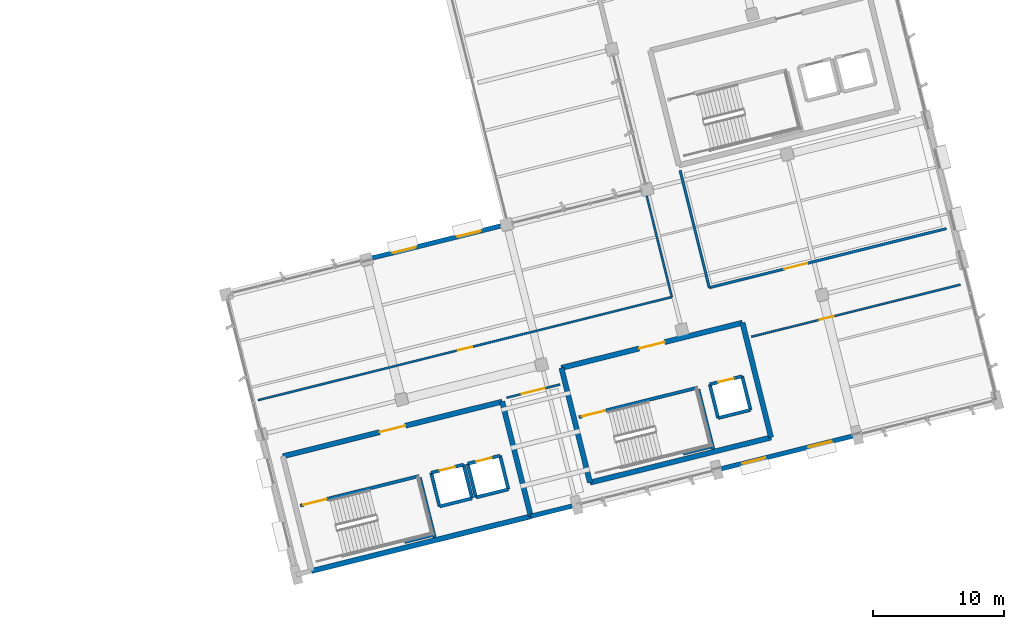
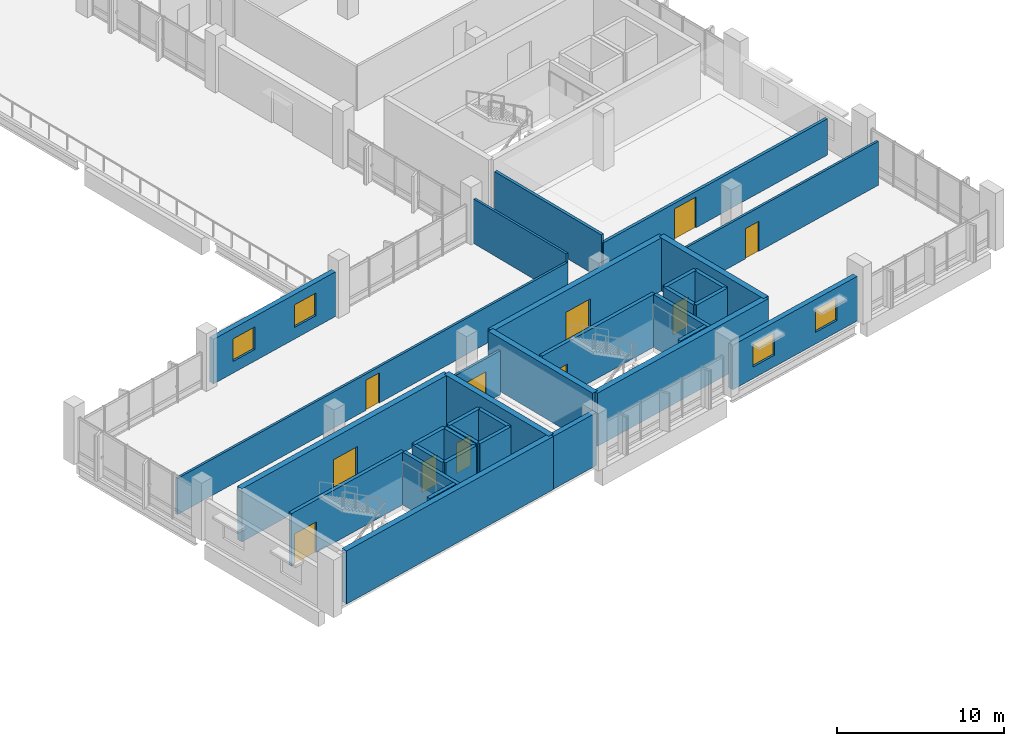
# One storey, part 35 of 42: 34 walls, 11 doors, 4 windows, 15 openings.
"""IFC4 building model written with IfcOpenShell, lengths in metres."""

from ifc_helpers import new_model, si_unit, direction, frame, frame_2d, origin, place, context, subcontext, project, spatial, rectangle, extrude, material, layer, layer_set, type_object, element, fill, save


model = new_model("IFC4")

# Units and contexts
model_context = context("Model", 3, precision=1e-05, world=origin(), true_north=direction((0.0, 1.0)))
body_context = subcontext(model_context, "Body", "Model", "MODEL_VIEW")
ifc_project = project(units=[si_unit("LENGTHUNIT", "METRE"), si_unit("AREAUNIT", "SQUARE_METRE"), si_unit("VOLUMEUNIT", "CUBIC_METRE"), si_unit("PLANEANGLEUNIT", "RADIAN"), si_unit("MASSUNIT", "GRAM", prefix="KILO")], contexts=[model_context])

# Site, building, storey
site_placement = place(None, origin())
site = spatial("IfcSite", under=ifc_project, at=site_placement, CompositionType="ELEMENT")
building_placement = place(site_placement, origin())
building = spatial("IfcBuilding", under=site, at=building_placement, Name="Khorjan Park Terminus", CompositionType="ELEMENT")
storey_placement = place(building_placement, frame((0.0, 0.0, 20.4)))
storey = spatial("IfcBuildingStorey", under=building, at=storey_placement, Name="L04", CompositionType="ELEMENT", Elevation=20.4)

# Walls
ifc_material_1 = material(Name="Concrete C50/60", Category="concrete")
ifc_layer_1 = layer(ifc_material_1, 0.4)
ifc_layer_set_1 = layer_set([ifc_layer_1], Name="Concrete C50/60")
wall_type_1 = type_object("IfcWallType", Name="CW-40", PredefinedType="SHEAR", material=ifc_layer_set_1)
wall_1_placement = place(storey_placement, frame((177.8376, 4.9514, 0.0), z_axis=(0.0, 0.0, 1.0), x_axis=(0.970295179998, 0.241924086589, 0.0)))
element("IfcWall", 1, at=wall_1_placement, inside=storey, type_object=wall_type_1, Name="Operations West Firefighting Core concrete shear wall CW-40 (L04-E1)", PredefinedType="SHEAR", context=body_context, shape_type="SweptSolid", body=[
    extrude(rectangle(XDim=17.2, YDim=0.4, at=frame_2d((8.6, 0.0))), origin(), (0.0, 0.0, 1.0), 3.88),
])
wall_2_placement = place(storey_placement, frame((194.5267, 9.1125, 0.0), z_axis=(0.0, 0.0, 1.0), x_axis=(-0.241923808098, 0.970295249435, 0.0)))
element("IfcWall", 2, at=wall_2_placement, inside=storey, type_object=wall_type_1, Name="Operations West Firefighting Core concrete shear wall CW-40 (L04-E2)", PredefinedType="SHEAR", context=body_context, shape_type="SweptSolid", body=[
    extrude(rectangle(XDim=8.9999, YDim=0.4, at=frame_2d((4.5, 0.0))), origin(), (0.0, 0.0, 1.0), 3.88),
])

# Wall, opening, door
wall_3_placement = place(storey_placement, frame((192.3494, 17.8451, 0.0), z_axis=(0.0, 0.0, 1.0), x_axis=(-0.970296544738, -0.241918612906, 0.0)))
wall_3 = element("IfcWall", 3, at=wall_3_placement, inside=storey, type_object=wall_type_1, Name="Operations West Firefighting Core concrete shear wall CW-40 (L04-E3)", PredefinedType="SHEAR", context=body_context, shape_type="SweptSolid", body=[
    extrude(rectangle(XDim=17.2, YDim=0.4, at=frame_2d((8.6, 0.0))), origin(), (0.0, 0.0, 1.0), 3.88),
])
opening_1_placement = place(wall_3_placement, frame((7.6, 0.0, 0.0)))
opening_1 = element("IfcOpeningElement", 4, at=opening_1_placement, cuts=wall_3, Name="Opening FD-20", PredefinedType="OPENING", context=body_context, shape_type="SweptSolid", body=[
    extrude(rectangle(XDim=2.0, YDim=2.3, at=frame_2d((1.0, 1.15))), frame((0.0, 0.21, 0.0), z_axis=(0.0, -1.0, 0.0), x_axis=(1.0, 0.0, 0.0)), (0.0, 0.0, 1.0), 0.42),
])
ifc_material_2 = material(Name="Fire-Rated Steel Double Door", Category="steel")
door_type_1 = type_object("IfcDoorType", Name="FD-20", OperationType="NOTDEFINED", PredefinedType="DOOR", material=ifc_material_2)
door_1_placement = place(opening_1_placement, origin())
door_1 = element("IfcDoor", 5, at=door_1_placement, inside=storey, type_object=door_type_1, Name="Operations West Firefighting Core fire-rated exit door FD-20 (L04)", OperationType="DOUBLE_DOOR_SINGLE_SWING", OverallHeight=2.3, OverallWidth=2.0, PredefinedType="DOOR", context=body_context, shape_type="SweptSolid", body=[
    extrude(rectangle(XDim=2.0, YDim=2.3, at=frame_2d((1.0, 1.15))), frame((0.0, 0.025, 0.0), z_axis=(0.0, -1.0, 0.0), x_axis=(1.0, 0.0, 0.0)), (0.0, 0.0, 1.0), 0.05),
])
fill(opening_1, door_1)

# Walls
wall_4_placement = place(storey_placement, frame((199.0395, 11.6805, 0.0), z_axis=(0.0, 0.0, 1.0), x_axis=(0.970295578967, 0.241922486422, 0.0)))
element("IfcWall", 6, at=wall_4_placement, inside=storey, type_object=wall_type_1, Name="Operations Central Command Core concrete shear wall CW-40 (L04-E1)", PredefinedType="SHEAR", context=body_context, shape_type="SweptSolid", body=[
    extrude(rectangle(XDim=14.2, YDim=0.4, at=frame_2d((7.1, 0.0))), origin(), (0.0, 0.0, 1.0), 3.88),
])
wall_5_placement = place(storey_placement, frame((212.8177, 15.1158, 0.0), z_axis=(0.0, 0.0, 1.0), x_axis=(-0.241921199913, 0.97029589973, 0.0)))
element("IfcWall", 7, at=wall_5_placement, inside=storey, type_object=wall_type_1, Name="Operations Central Command Core concrete shear wall CW-40 (L04-E2)", PredefinedType="SHEAR", context=body_context, shape_type="SweptSolid", body=[
    extrude(rectangle(XDim=9.0, YDim=0.4, at=frame_2d((4.5, 0.0))), origin(), (0.0, 0.0, 1.0), 3.88),
])

# Wall, opening, door
wall_6_placement = place(storey_placement, frame((210.6404, 23.8485, 0.0), z_axis=(0.0, 0.0, 1.0), x_axis=(-0.970295578967, -0.241922486422, 0.0)))
wall_6 = element("IfcWall", 8, at=wall_6_placement, inside=storey, type_object=wall_type_1, Name="Operations Central Command Core concrete shear wall CW-40 (L04-E3)", PredefinedType="SHEAR", context=body_context, shape_type="SweptSolid", body=[
    extrude(rectangle(XDim=14.2, YDim=0.4, at=frame_2d((7.1, 0.0))), origin(), (0.0, 0.0, 1.0), 3.88),
])
opening_2_placement = place(wall_6_placement, frame((6.1, 0.0, 0.0)))
opening_2 = element("IfcOpeningElement", 9, at=opening_2_placement, cuts=wall_6, Name="Opening FD-20", PredefinedType="OPENING", context=body_context, shape_type="SweptSolid", body=[
    extrude(rectangle(XDim=2.0, YDim=2.3, at=frame_2d((1.0, 1.15))), frame((0.0, 0.21, 0.0), z_axis=(0.0, -1.0, 0.0), x_axis=(1.0, 0.0, 0.0)), (0.0, 0.0, 1.0), 0.42),
])
door_2_placement = place(opening_2_placement, origin())
door_2 = element("IfcDoor", 10, at=door_2_placement, inside=storey, type_object=door_type_1, Name="Operations Central Command Core fire-rated exit door FD-20 (L04)", OperationType="DOUBLE_DOOR_SINGLE_SWING", OverallHeight=2.3, OverallWidth=2.0, PredefinedType="DOOR", context=body_context, shape_type="SweptSolid", body=[
    extrude(rectangle(XDim=2.0, YDim=2.3, at=frame_2d((1.0, 1.15))), frame((0.0, 0.025, 0.0), z_axis=(0.0, -1.0, 0.0), x_axis=(1.0, 0.0, 0.0)), (0.0, 0.0, 1.0), 0.05),
])
fill(opening_2, door_2)

# Wall
wall_7_placement = place(storey_placement, frame((196.8622, 20.4132, 0.0), z_axis=(0.0, 0.0, 1.0), x_axis=(0.241921199913, -0.97029589973, 0.0)))
element("IfcWall", 11, at=wall_7_placement, inside=storey, type_object=wall_type_1, Name="Operations Central Command Core concrete shear wall CW-40 (L04-E4)", PredefinedType="SHEAR", context=body_context, shape_type="SweptSolid", body=[
    extrude(rectangle(XDim=9.0, YDim=0.4, at=frame_2d((4.5, 0.0))), origin(), (0.0, 0.0, 1.0), 3.88),
])

# Wall, openings, windows
ifc_material_3 = material(Name="Pigmented Precast GRC & Concrete C40/50", Category="concrete")
ifc_layer_2 = layer(ifc_material_3, 0.35)
ifc_layer_set_2 = layer_set([ifc_layer_2], Name="Pigmented Precast GRC & Concrete C40/50")
wall_type_2 = type_object("IfcWallType", Name="EW-35", PredefinedType="STANDARD", material=ifc_layer_set_2)
wall_8_placement = place(storey_placement, frame((208.9987, 12.7208, 0.0), z_axis=(0.0, 0.0, 1.0), x_axis=(0.970297165187, 0.241916124371, 0.0)))
wall_8 = element("IfcWall", 12, at=wall_8_placement, inside=storey, type_object=wall_type_2, Name="External pigmented-GRC insulated wall EW-35 (EW-V5-S-L04-B04)", PredefinedType="STANDARD", context=body_context, shape_type="SweptSolid", body=[
    extrude(rectangle(XDim=10.3697, YDim=0.35, at=frame_2d((5.1848, 0.0))), origin(), (0.0, 0.0, 1.0), 3.255),
])
opening_3_placement = place(wall_8_placement, frame((1.6924, 0.0, 0.85)))
opening_3 = element("IfcOpeningElement", 13, at=opening_3_placement, cuts=wall_8, Name="Opening WN-18", PredefinedType="OPENING", context=body_context, shape_type="SweptSolid", body=[
    extrude(rectangle(XDim=1.8, YDim=1.65, at=frame_2d((0.9, 0.825))), frame((0.0, 0.185, 0.0), z_axis=(0.0, -1.0, 0.0), x_axis=(1.0, 0.0, 0.0)), (0.0, 0.0, 1.0), 0.37),
])
opening_4_placement = place(wall_8_placement, frame((6.8773, 0.0, 0.85)))
opening_4 = element("IfcOpeningElement", 14, at=opening_4_placement, cuts=wall_8, Name="Opening WN-18", PredefinedType="OPENING", context=body_context, shape_type="SweptSolid", body=[
    extrude(rectangle(XDim=1.8, YDim=1.65, at=frame_2d((0.9, 0.825))), frame((0.0, 0.185, 0.0), z_axis=(0.0, -1.0, 0.0), x_axis=(1.0, 0.0, 0.0)), (0.0, 0.0, 1.0), 0.37),
])
ifc_material_4 = material(Name="Anodized Bronze Aluminium & Low-E Glass", Category="aluminium")
window_type = type_object("IfcWindowType", Name="WN-18", PartitioningType="SINGLE_PANEL", PredefinedType="WINDOW", material=ifc_material_4)
window_1_placement = place(opening_3_placement, origin())
window_1 = element("IfcWindow", 15, at=window_1_placement, inside=storey, type_object=window_type, Name="Solar-control exterior window WN-18 (WN-EW-V5-S-L04-B04-1)", OverallHeight=1.65, OverallWidth=1.8, PartitioningType="SINGLE_PANEL", PredefinedType="WINDOW", context=body_context, shape_type="SweptSolid", body=[
    extrude(rectangle(XDim=1.8, YDim=1.65, at=frame_2d((0.9, 0.825))), frame((0.0, 0.03, 0.0), z_axis=(0.0, -1.0, 0.0), x_axis=(1.0, 0.0, 0.0)), (0.0, 0.0, 1.0), 0.06),
])
fill(opening_3, window_1)
window_2_placement = place(opening_4_placement, origin())
window_2 = element("IfcWindow", 16, at=window_2_placement, inside=storey, type_object=window_type, Name="Solar-control exterior window WN-18 (WN-EW-V5-S-L04-B04-2)", OverallHeight=1.65, OverallWidth=1.8, PartitioningType="SINGLE_PANEL", PredefinedType="WINDOW", context=body_context, shape_type="SweptSolid", body=[
    extrude(rectangle(XDim=1.8, YDim=1.65, at=frame_2d((0.9, 0.825))), frame((0.0, 0.03, 0.0), z_axis=(0.0, -1.0, 0.0), x_axis=(1.0, 0.0, 0.0)), (0.0, 0.0, 1.0), 0.06),
])
fill(opening_4, window_2)

wall_9_placement = place(storey_placement, frame((192.2944, 31.2294, 0.0), z_axis=(0.0, 0.0, 1.0), x_axis=(-0.970297894389, -0.241913199608, 0.0)))
wall_9 = element("IfcWall", 17, at=wall_9_placement, inside=storey, type_object=wall_type_2, Name="External pigmented-GRC insulated wall EW-35 (EW-V5-NW2-L04-B02)", PredefinedType="STANDARD", context=body_context, shape_type="SweptSolid", body=[
    extrude(rectangle(XDim=10.1698, YDim=0.35, at=frame_2d((5.0849, 0.0))), origin(), (0.0, 0.0, 1.0), 3.255),
])
opening_5_placement = place(wall_9_placement, frame((1.6424, 0.0, 0.85)))
opening_5 = element("IfcOpeningElement", 18, at=opening_5_placement, cuts=wall_9, Name="Opening WN-18", PredefinedType="OPENING", context=body_context, shape_type="SweptSolid", body=[
    extrude(rectangle(XDim=1.8, YDim=1.65, at=frame_2d((0.9, 0.825))), frame((0.0, 0.185, 0.0), z_axis=(0.0, -1.0, 0.0), x_axis=(1.0, 0.0, 0.0)), (0.0, 0.0, 1.0), 0.37),
])
opening_6_placement = place(wall_9_placement, frame((6.7273, 0.0, 0.85)))
opening_6 = element("IfcOpeningElement", 19, at=opening_6_placement, cuts=wall_9, Name="Opening WN-18", PredefinedType="OPENING", context=body_context, shape_type="SweptSolid", body=[
    extrude(rectangle(XDim=1.8, YDim=1.65, at=frame_2d((0.9, 0.825))), frame((0.0, 0.185, 0.0), z_axis=(0.0, -1.0, 0.0), x_axis=(1.0, 0.0, 0.0)), (0.0, 0.0, 1.0), 0.37),
])
window_3_placement = place(opening_5_placement, origin())
window_3 = element("IfcWindow", 20, at=window_3_placement, inside=storey, type_object=window_type, Name="Solar-control exterior window WN-18 (WN-EW-V5-NW2-L04-B02-1)", OverallHeight=1.65, OverallWidth=1.8, PartitioningType="SINGLE_PANEL", PredefinedType="WINDOW", context=body_context, shape_type="SweptSolid", body=[
    extrude(rectangle(XDim=1.8, YDim=1.65, at=frame_2d((0.9, 0.825))), frame((0.0, 0.03, 0.0), z_axis=(0.0, -1.0, 0.0), x_axis=(1.0, 0.0, 0.0)), (0.0, 0.0, 1.0), 0.06),
])
fill(opening_5, window_3)
window_4_placement = place(opening_6_placement, origin())
window_4 = element("IfcWindow", 21, at=window_4_placement, inside=storey, type_object=window_type, Name="Solar-control exterior window WN-18 (WN-EW-V5-NW2-L04-B02-2)", OverallHeight=1.65, OverallWidth=1.8, PartitioningType="SINGLE_PANEL", PredefinedType="WINDOW", context=body_context, shape_type="SweptSolid", body=[
    extrude(rectangle(XDim=1.8, YDim=1.65, at=frame_2d((0.9, 0.825))), frame((0.0, 0.03, 0.0), z_axis=(0.0, -1.0, 0.0), x_axis=(1.0, 0.0, 0.0)), (0.0, 0.0, 1.0), 0.06),
])
fill(opening_6, window_4)

# Wall
wall_10_placement = place(storey_placement, frame((194.5267, 9.1125, 0.0), z_axis=(0.0, 0.0, 1.0), x_axis=(0.970297528922, 0.241914665466, 0.0)))
element("IfcWall", 22, at=wall_10_placement, inside=storey, type_object=wall_type_2, Name="External pigmented-GRC core infill wall EW-35 (EW-V5-K3P-L04-2)", PredefinedType="STANDARD", context=body_context, shape_type="SweptSolid", body=[
    extrude(rectangle(XDim=3.6, YDim=0.35, at=frame_2d((1.8, 0.0))), origin(), (0.0, 0.0, 1.0), 3.855),
])

# Wall, opening, door
ifc_material_5 = material(Name="Insulated Metal-Stud Acoustic Partition")
ifc_layer_3 = layer(ifc_material_5, 0.16)
ifc_layer_set_3 = layer_set([ifc_layer_3], Name="Insulated Metal-Stud Acoustic Partition")
wall_type_3 = type_object("IfcWallType", Name="PT-16", PredefinedType="PARTITIONING", material=ifc_layer_set_3)
wall_11_placement = place(storey_placement, frame((211.3188, 22.7809, 0.0), z_axis=(0.0, 0.0, 1.0), x_axis=(0.970296178232, 0.241920082897, 0.0)))
wall_11 = element("IfcWall", 23, at=wall_11_placement, inside=storey, type_object=wall_type_3, Name="Interior acoustic partition PT-16 (L04-INF)", PredefinedType="PARTITIONING", context=body_context, shape_type="SweptSolid", body=[
    extrude(rectangle(XDim=16.4, YDim=0.16, at=frame_2d((8.2, 0.0))), origin(), (0.0, 0.0, 1.0), 3.205),
])
opening_7_placement = place(wall_11_placement, frame((5.355, 0.0, 0.0)))
opening_7 = element("IfcOpeningElement", 24, at=opening_7_placement, cuts=wall_11, Name="Opening ID-11", PredefinedType="OPENING", context=body_context, shape_type="SweptSolid", body=[
    extrude(rectangle(XDim=1.1, YDim=2.2, at=frame_2d((0.55, 1.1))), frame((0.0, 0.09, 0.0), z_axis=(0.0, -1.0, 0.0), x_axis=(1.0, 0.0, 0.0)), (0.0, 0.0, 1.0), 0.18),
])
ifc_material_6 = material(Name="Acoustic Hardwood Single Door", Category="wood")
door_type_2 = type_object("IfcDoorType", Name="ID-11", OperationType="NOTDEFINED", PredefinedType="DOOR", material=ifc_material_6)
door_3_placement = place(opening_7_placement, origin())
door_3 = element("IfcDoor", 25, at=door_3_placement, inside=storey, type_object=door_type_2, Name="Interior door ID-11 (L04-INF)", OperationType="SINGLE_SWING_RIGHT", OverallHeight=2.2, OverallWidth=1.1, PredefinedType="DOOR", context=body_context, shape_type="SweptSolid", body=[
    extrude(rectangle(XDim=1.1, YDim=2.2, at=frame_2d((0.55, 1.1))), frame((0.0, 0.025, 0.0), z_axis=(0.0, -1.0, 0.0), x_axis=(1.0, 0.0, 0.0)), (0.0, 0.0, 1.0), 0.05),
])
fill(opening_7, door_3)

# Wall
wall_12_placement = place(storey_placement, frame((203.3317, 33.569, 0.0), z_axis=(0.0, 0.0, 1.0), x_axis=(0.241929683653, -0.970293784463, 0.0)))
element("IfcWall", 26, at=wall_12_placement, inside=storey, type_object=wall_type_3, Name="Interior acoustic partition PT-16 (L04-PLN)", PredefinedType="PARTITIONING", context=body_context, shape_type="SweptSolid", body=[
    extrude(rectangle(XDim=7.9998, YDim=0.16, at=frame_2d((3.9999, 0.0))), origin(), (0.0, 0.0, 1.0), 3.245),
])

# Wall, opening, door
wall_13_placement = place(storey_placement, frame((205.2671, 25.8068, 0.0), z_axis=(0.0, 0.0, 1.0), x_axis=(-0.970295074314, -0.241924510463, 0.0)))
wall_13 = element("IfcWall", 27, at=wall_13_placement, inside=storey, type_object=wall_type_3, Name="Interior acoustic partition PT-16 (L04-PLN)", PredefinedType="PARTITIONING", context=body_context, shape_type="SweptSolid", body=[
    extrude(rectangle(XDim=32.4601, YDim=0.16, at=frame_2d((16.23, 0.0))), origin(), (0.0, 0.0, 1.0), 2.645),
])
opening_8_placement = place(wall_13_placement, frame((15.6801, 0.0, 0.0)))
opening_8 = element("IfcOpeningElement", 28, at=opening_8_placement, cuts=wall_13, Name="Opening ID-11", PredefinedType="OPENING", context=body_context, shape_type="SweptSolid", body=[
    extrude(rectangle(XDim=1.1, YDim=2.2, at=frame_2d((0.55, 1.1))), frame((0.0, 0.09, 0.0), z_axis=(0.0, -1.0, 0.0), x_axis=(1.0, 0.0, 0.0)), (0.0, 0.0, 1.0), 0.18),
])
door_4_placement = place(opening_8_placement, origin())
door_4 = element("IfcDoor", 29, at=door_4_placement, inside=storey, type_object=door_type_2, Name="Interior door ID-11 (L04-PLN)", OperationType="SINGLE_SWING_LEFT", OverallHeight=2.2, OverallWidth=1.1, PredefinedType="DOOR", context=body_context, shape_type="SweptSolid", body=[
    extrude(rectangle(XDim=1.1, YDim=2.2, at=frame_2d((0.55, 1.1))), frame((0.0, 0.025, 0.0), z_axis=(0.0, -1.0, 0.0), x_axis=(1.0, 0.0, 0.0)), (0.0, 0.0, 1.0), 0.05),
])
fill(opening_8, door_4)

wall_14_placement = place(storey_placement, frame((192.6891, 18.136, 0.0), z_axis=(0.0, 0.0, 1.0), x_axis=(0.970294966744, 0.241924941896, 0.0)))
wall_14 = element("IfcWall", 30, at=wall_14_placement, inside=storey, type_object=wall_type_3, Name="Interior acoustic partition PT-16 (L04-BRK)", PredefinedType="PARTITIONING", context=body_context, shape_type="SweptSolid", body=[
    extrude(rectangle(XDim=4.2001, YDim=0.16, at=frame_2d((2.1, 0.0))), origin(), (0.0, 0.0, 1.0), 3.205),
])
opening_9_placement = place(wall_14_placement, frame((1.2, 0.0, 0.0)))
opening_9 = element("IfcOpeningElement", 31, at=opening_9_placement, cuts=wall_14, Name="Opening ID-18", PredefinedType="OPENING", context=body_context, shape_type="SweptSolid", body=[
    extrude(rectangle(XDim=1.8, YDim=2.25, at=frame_2d((0.9, 1.125))), frame((0.0, 0.09, 0.0), z_axis=(0.0, -1.0, 0.0), x_axis=(1.0, 0.0, 0.0)), (0.0, 0.0, 1.0), 0.18),
])
ifc_material_7 = material(Name="Acoustic Hardwood & Vision-Lite Double Door", Category="wood")
door_type_3 = type_object("IfcDoorType", Name="ID-18", OperationType="NOTDEFINED", PredefinedType="DOOR", material=ifc_material_7)
door_5_placement = place(opening_9_placement, origin())
door_5 = element("IfcDoor", 32, at=door_5_placement, inside=storey, type_object=door_type_3, Name="Interior door ID-18 (L04-BRK)", OperationType="DOUBLE_DOOR_SINGLE_SWING", OverallHeight=2.25, OverallWidth=1.8, PredefinedType="DOOR", context=body_context, shape_type="SweptSolid", body=[
    extrude(rectangle(XDim=1.8, YDim=2.25, at=frame_2d((0.9, 1.125))), frame((0.0, 0.025, 0.0), z_axis=(0.0, -1.0, 0.0), x_axis=(1.0, 0.0, 0.0)), (0.0, 0.0, 1.0), 0.05),
])
fill(opening_9, door_5)

ifc_material_8 = material(Name="Fire-Rated Acoustic Masonry & Drywall", Category="masonry")
ifc_layer_4 = layer(ifc_material_8, 0.2)
ifc_layer_set_4 = layer_set([ifc_layer_4], Name="Fire-Rated Acoustic Masonry & Drywall")
wall_type_4 = type_object("IfcWallType", Name="PT-20", PredefinedType="PARTITIONING", material=ifc_layer_set_4)
wall_15_placement = place(storey_placement, frame((226.1672, 31.0177, 0.0), z_axis=(0.0, 0.0, 1.0), x_axis=(-0.97029632108, -0.241919509958, 0.0)))
wall_15 = element("IfcWall", 33, at=wall_15_placement, inside=storey, type_object=wall_type_4, Name="Interior acoustic partition PT-20 (L04-SIM)", PredefinedType="PARTITIONING", context=body_context, shape_type="SweptSolid", body=[
    extrude(rectangle(XDim=18.6, YDim=0.2, at=frame_2d((9.3, 0.0))), origin(), (0.0, 0.0, 1.0), 2.645),
])
opening_10_placement = place(wall_15_placement, frame((10.92, 0.0, 0.0)))
opening_10 = element("IfcOpeningElement", 34, at=opening_10_placement, cuts=wall_15, Name="Opening ID-18", PredefinedType="OPENING", context=body_context, shape_type="SweptSolid", body=[
    extrude(rectangle(XDim=1.8, YDim=2.25, at=frame_2d((0.9, 1.125))), frame((0.0, 0.11, 0.0), z_axis=(0.0, -1.0, 0.0), x_axis=(1.0, 0.0, 0.0)), (0.0, 0.0, 1.0), 0.22),
])
door_6_placement = place(opening_10_placement, origin())
door_6 = element("IfcDoor", 35, at=door_6_placement, inside=storey, type_object=door_type_3, Name="Interior door ID-18 (L04-SIM)", OperationType="DOUBLE_DOOR_SINGLE_SWING", OverallHeight=2.25, OverallWidth=1.8, PredefinedType="DOOR", context=body_context, shape_type="SweptSolid", body=[
    extrude(rectangle(XDim=1.8, YDim=2.25, at=frame_2d((0.9, 1.125))), frame((0.0, 0.025, 0.0), z_axis=(0.0, -1.0, 0.0), x_axis=(1.0, 0.0, 0.0)), (0.0, 0.0, 1.0), 0.05),
])
fill(opening_10, door_6)

# Walls
wall_16_placement = place(storey_placement, frame((208.1197, 26.518, 0.0), z_axis=(0.0, 0.0, 1.0), x_axis=(-0.241924322663, 0.970295121138, 0.0)))
element("IfcWall", 36, at=wall_16_placement, inside=storey, type_object=wall_type_4, Name="Interior acoustic partition PT-20 (L04-SIM)", PredefinedType="PARTITIONING", context=body_context, shape_type="SweptSolid", body=[
    extrude(rectangle(XDim=9.2, YDim=0.2, at=frame_2d((4.6, 0.0))), origin(), (0.0, 0.0, 1.0), 3.205),
])
ifc_material_9 = material(Name="Concrete C40/50", Category="concrete")
ifc_layer_5 = layer(ifc_material_9, 0.25)
ifc_layer_set_5 = layer_set([ifc_layer_5], Name="Concrete C40/50")
wall_type_5 = type_object("IfcWallType", Name="SW-25", PredefinedType="SOLIDWALL", material=ifc_layer_set_5)
wall_17_placement = place(storey_placement, frame((187.5883, 9.8663, 0.0), z_axis=(0.0, 0.0, 1.0), x_axis=(0.97029284861, 0.241933436994, 0.0)))
element("IfcWall", 37, at=wall_17_placement, inside=storey, type_object=wall_type_5, Name="Lift L05 concrete shaft wall SW-25 (L04-1)", PredefinedType="SOLIDWALL", context=body_context, shape_type="SweptSolid", body=[
    extrude(rectangle(XDim=2.54, YDim=0.25, at=frame_2d((1.27, 0.0))), origin(), (0.0, 0.0, 1.0), 3.88),
])
wall_18_placement = place(storey_placement, frame((190.0528, 10.4808, 0.0), z_axis=(0.0, 0.0, 1.0), x_axis=(-0.241938414856, 0.970291607413, 0.0)))
element("IfcWall", 38, at=wall_18_placement, inside=storey, type_object=wall_type_5, Name="Lift L05 concrete shaft wall SW-25 (L04-2)", PredefinedType="SOLIDWALL", context=body_context, shape_type="SweptSolid", body=[
    extrude(rectangle(XDim=2.6399, YDim=0.25, at=frame_2d((1.3199, 0.0))), origin(), (0.0, 0.0, 1.0), 3.88),
])

# Wall, opening, door
wall_19_placement = place(storey_placement, frame((189.4141, 13.0423, 0.0), z_axis=(0.0, 0.0, 1.0), x_axis=(-0.97029284861, -0.241933436994, 0.0)))
wall_19 = element("IfcWall", 39, at=wall_19_placement, inside=storey, type_object=wall_type_5, Name="Lift L05 concrete shaft wall SW-25 (L04-3)", PredefinedType="SOLIDWALL", context=body_context, shape_type="SweptSolid", body=[
    extrude(rectangle(XDim=2.54, YDim=0.25, at=frame_2d((1.27, 0.0))), origin(), (0.0, 0.0, 1.0), 3.88),
])
opening_11_placement = place(wall_19_placement, frame((0.67, 0.0, 0.0)))
opening_11 = element("IfcOpeningElement", 40, at=opening_11_placement, cuts=wall_19, Name="Opening LD-12", PredefinedType="OPENING", context=body_context, shape_type="SweptSolid", body=[
    extrude(rectangle(XDim=1.2, YDim=2.2, at=frame_2d((0.6, 1.1))), frame((0.0, 0.135, 0.0), z_axis=(0.0, -1.0, 0.0), x_axis=(1.0, 0.0, 0.0)), (0.0, 0.0, 1.0), 0.27),
])
ifc_material_10 = material(Name="Stainless-Steel Lift Landing Sliding Door", Category="steel")
door_type_4 = type_object("IfcDoorType", Name="LD-12", OperationType="NOTDEFINED", PredefinedType="DOOR", material=ifc_material_10)
door_7_placement = place(opening_11_placement, origin())
door_7 = element("IfcDoor", 41, at=door_7_placement, inside=storey, type_object=door_type_4, Name="Lift L05 sliding landing door LD-12 (L04)", OperationType="SLIDING_TO_LEFT", OverallHeight=2.2, OverallWidth=1.2, PredefinedType="DOOR", context=body_context, shape_type="SweptSolid", body=[
    extrude(rectangle(XDim=1.2, YDim=2.2, at=frame_2d((0.6, 1.1))), frame((0.0, 0.025, 0.0), z_axis=(0.0, -1.0, 0.0), x_axis=(1.0, 0.0, 0.0)), (0.0, 0.0, 1.0), 0.05),
])
fill(opening_11, door_7)

# Walls
wall_20_placement = place(storey_placement, frame((186.9496, 12.4278, 0.0), z_axis=(0.0, 0.0, 1.0), x_axis=(0.241938414856, -0.970291607413, 0.0)))
element("IfcWall", 42, at=wall_20_placement, inside=storey, type_object=wall_type_5, Name="Lift L05 concrete shaft wall SW-25 (L04-4)", PredefinedType="SOLIDWALL", context=body_context, shape_type="SweptSolid", body=[
    extrude(rectangle(XDim=2.6399, YDim=0.25, at=frame_2d((1.3199, 0.0))), origin(), (0.0, 0.0, 1.0), 3.88),
])
wall_21_placement = place(storey_placement, frame((190.3633, 10.5582, 0.0), z_axis=(0.0, 0.0, 1.0), x_axis=(0.97029284861, 0.241933436994, 0.0)))
element("IfcWall", 43, at=wall_21_placement, inside=storey, type_object=wall_type_5, Name="Lift L06 concrete shaft wall SW-25 (L04-1)", PredefinedType="SOLIDWALL", context=body_context, shape_type="SweptSolid", body=[
    extrude(rectangle(XDim=2.54, YDim=0.25, at=frame_2d((1.27, 0.0))), origin(), (0.0, 0.0, 1.0), 3.88),
])
wall_22_placement = place(storey_placement, frame((192.8278, 11.1727, 0.0), z_axis=(0.0, 0.0, 1.0), x_axis=(-0.241938414856, 0.970291607413, 0.0)))
element("IfcWall", 44, at=wall_22_placement, inside=storey, type_object=wall_type_5, Name="Lift L06 concrete shaft wall SW-25 (L04-2)", PredefinedType="SOLIDWALL", context=body_context, shape_type="SweptSolid", body=[
    extrude(rectangle(XDim=2.6399, YDim=0.25, at=frame_2d((1.3199, 0.0))), origin(), (0.0, 0.0, 1.0), 3.88),
])

# Wall, opening, door
wall_23_placement = place(storey_placement, frame((192.1891, 13.7342, 0.0), z_axis=(0.0, 0.0, 1.0), x_axis=(-0.97029284861, -0.241933436994, 0.0)))
wall_23 = element("IfcWall", 45, at=wall_23_placement, inside=storey, type_object=wall_type_5, Name="Lift L06 concrete shaft wall SW-25 (L04-3)", PredefinedType="SOLIDWALL", context=body_context, shape_type="SweptSolid", body=[
    extrude(rectangle(XDim=2.54, YDim=0.25, at=frame_2d((1.27, 0.0))), origin(), (0.0, 0.0, 1.0), 3.88),
])
opening_12_placement = place(wall_23_placement, frame((0.67, 0.0, 0.0)))
opening_12 = element("IfcOpeningElement", 46, at=opening_12_placement, cuts=wall_23, Name="Opening LD-12", PredefinedType="OPENING", context=body_context, shape_type="SweptSolid", body=[
    extrude(rectangle(XDim=1.2, YDim=2.2, at=frame_2d((0.6, 1.1))), frame((0.0, 0.135, 0.0), z_axis=(0.0, -1.0, 0.0), x_axis=(1.0, 0.0, 0.0)), (0.0, 0.0, 1.0), 0.27),
])
door_8_placement = place(opening_12_placement, origin())
door_8 = element("IfcDoor", 47, at=door_8_placement, inside=storey, type_object=door_type_4, Name="Lift L06 sliding landing door LD-12 (L04)", OperationType="SLIDING_TO_RIGHT", OverallHeight=2.2, OverallWidth=1.2, PredefinedType="DOOR", context=body_context, shape_type="SweptSolid", body=[
    extrude(rectangle(XDim=1.2, YDim=2.2, at=frame_2d((0.6, 1.1))), frame((0.0, 0.025, 0.0), z_axis=(0.0, -1.0, 0.0), x_axis=(1.0, 0.0, 0.0)), (0.0, 0.0, 1.0), 0.05),
])
fill(opening_12, door_8)

# Walls
wall_24_placement = place(storey_placement, frame((189.7246, 13.1197, 0.0), z_axis=(0.0, 0.0, 1.0), x_axis=(0.241938414856, -0.970291607413, 0.0)))
element("IfcWall", 48, at=wall_24_placement, inside=storey, type_object=wall_type_5, Name="Lift L06 concrete shaft wall SW-25 (L04-4)", PredefinedType="SOLIDWALL", context=body_context, shape_type="SweptSolid", body=[
    extrude(rectangle(XDim=2.6399, YDim=0.25, at=frame_2d((1.3199, 0.0))), origin(), (0.0, 0.0, 1.0), 3.88),
])
wall_25_placement = place(storey_placement, frame((208.7902, 16.5954, 0.0), z_axis=(0.0, 0.0, 1.0), x_axis=(0.97029284861, 0.241933436994, 0.0)))
element("IfcWall", 49, at=wall_25_placement, inside=storey, type_object=wall_type_5, Name="Lift L12 concrete shaft wall SW-25 (L04-1)", PredefinedType="SOLIDWALL", context=body_context, shape_type="SweptSolid", body=[
    extrude(rectangle(XDim=2.54, YDim=0.25, at=frame_2d((1.27, 0.0))), origin(), (0.0, 0.0, 1.0), 3.88),
])
wall_26_placement = place(storey_placement, frame((211.2547, 17.2099, 0.0), z_axis=(0.0, 0.0, 1.0), x_axis=(-0.241938414856, 0.970291607413, 0.0)))
element("IfcWall", 50, at=wall_26_placement, inside=storey, type_object=wall_type_5, Name="Lift L12 concrete shaft wall SW-25 (L04-2)", PredefinedType="SOLIDWALL", context=body_context, shape_type="SweptSolid", body=[
    extrude(rectangle(XDim=2.6399, YDim=0.25, at=frame_2d((1.3199, 0.0))), origin(), (0.0, 0.0, 1.0), 3.88),
])

# Wall, opening, door
wall_27_placement = place(storey_placement, frame((210.616, 19.7714, 0.0), z_axis=(0.0, 0.0, 1.0), x_axis=(-0.97029284861, -0.241933436994, 0.0)))
wall_27 = element("IfcWall", 51, at=wall_27_placement, inside=storey, type_object=wall_type_5, Name="Lift L12 concrete shaft wall SW-25 (L04-3)", PredefinedType="SOLIDWALL", context=body_context, shape_type="SweptSolid", body=[
    extrude(rectangle(XDim=2.54, YDim=0.25, at=frame_2d((1.27, 0.0))), origin(), (0.0, 0.0, 1.0), 3.88),
])
opening_13_placement = place(wall_27_placement, frame((0.67, 0.0, 0.0)))
opening_13 = element("IfcOpeningElement", 52, at=opening_13_placement, cuts=wall_27, Name="Opening LD-12", PredefinedType="OPENING", context=body_context, shape_type="SweptSolid", body=[
    extrude(rectangle(XDim=1.2, YDim=2.2, at=frame_2d((0.6, 1.1))), frame((0.0, 0.135, 0.0), z_axis=(0.0, -1.0, 0.0), x_axis=(1.0, 0.0, 0.0)), (0.0, 0.0, 1.0), 0.27),
])
door_9_placement = place(opening_13_placement, origin())
door_9 = element("IfcDoor", 53, at=door_9_placement, inside=storey, type_object=door_type_4, Name="Lift L12 sliding landing door LD-12 (L04)", OperationType="SLIDING_TO_LEFT", OverallHeight=2.2, OverallWidth=1.2, PredefinedType="DOOR", context=body_context, shape_type="SweptSolid", body=[
    extrude(rectangle(XDim=1.2, YDim=2.2, at=frame_2d((0.6, 1.1))), frame((0.0, 0.025, 0.0), z_axis=(0.0, -1.0, 0.0), x_axis=(1.0, 0.0, 0.0)), (0.0, 0.0, 1.0), 0.05),
])
fill(opening_13, door_9)

# Wall
wall_28_placement = place(storey_placement, frame((208.1515, 19.1569, 0.0), z_axis=(0.0, 0.0, 1.0), x_axis=(0.241938414856, -0.970291607413, 0.0)))
element("IfcWall", 54, at=wall_28_placement, inside=storey, type_object=wall_type_5, Name="Lift L12 concrete shaft wall SW-25 (L04-4)", PredefinedType="SOLIDWALL", context=body_context, shape_type="SweptSolid", body=[
    extrude(rectangle(XDim=2.6399, YDim=0.25, at=frame_2d((1.3199, 0.0))), origin(), (0.0, 0.0, 1.0), 3.88),
])

# Wall, opening, door
wall_29_placement = place(storey_placement, frame((176.9882, 9.9288, 0.0), z_axis=(0.0, 0.0, 1.0), x_axis=(0.970297151331, 0.241916179943, 0.0)))
wall_29 = element("IfcWall", 55, at=wall_29_placement, inside=storey, type_object=wall_type_5, Name="Operations West Firefighting Core structural stairwell wall SW-25 (L04)", PredefinedType="SOLIDWALL", context=body_context, shape_type="SweptSolid", body=[
    extrude(rectangle(XDim=9.345, YDim=0.25, at=frame_2d((4.6725, 0.0))), origin(), (0.0, 0.0, 1.0), 3.85),
])
opening_14_placement = place(wall_29_placement, frame((0.25, 0.0, 0.0)))
opening_14 = element("IfcOpeningElement", 56, at=opening_14_placement, cuts=wall_29, Name="Opening FD-18", PredefinedType="OPENING", context=body_context, shape_type="SweptSolid", body=[
    extrude(rectangle(XDim=1.8, YDim=2.25, at=frame_2d((0.9, 1.125))), frame((0.0, 0.135, 0.0), z_axis=(0.0, -1.0, 0.0), x_axis=(1.0, 0.0, 0.0)), (0.0, 0.0, 1.0), 0.27),
])
door_type_5 = type_object("IfcDoorType", Name="FD-18", OperationType="NOTDEFINED", PredefinedType="DOOR", material=ifc_material_2)
door_10_placement = place(opening_14_placement, origin())
door_10 = element("IfcDoor", 57, at=door_10_placement, inside=storey, type_object=door_type_5, Name="Operations West Firefighting Core stairwell fire door FD-18 (L04)", OperationType="DOUBLE_DOOR_SINGLE_SWING", OverallHeight=2.25, OverallWidth=1.8, PredefinedType="DOOR", context=body_context, shape_type="SweptSolid", body=[
    extrude(rectangle(XDim=1.8, YDim=2.25, at=frame_2d((0.9, 1.125))), frame((0.0, 0.025, 0.0), z_axis=(0.0, -1.0, 0.0), x_axis=(1.0, 0.0, 0.0)), (0.0, 0.0, 1.0), 0.05),
])
fill(opening_14, door_10)

# Walls
wall_30_placement = place(storey_placement, frame((187.2253, 7.4981, 0.0), z_axis=(0.0, 0.0, 1.0), x_axis=(-0.241911120435, 0.970298412763, 0.0)))
element("IfcWall", 58, at=wall_30_placement, inside=storey, type_object=wall_type_5, Name="Operations West Firefighting Core stairwell end bearing wall SW-25 (L04)", PredefinedType="SOLIDWALL", context=body_context, shape_type="SweptSolid", body=[
    extrude(rectangle(XDim=4.71, YDim=0.25, at=frame_2d((2.355, 0.0))), origin(), (0.0, 0.0, 1.0), 3.85),
])
wall_31_placement = place(storey_placement, frame((184.915, 7.154, 0.0), z_axis=(0.0, 0.0, 1.0), x_axis=(0.97029738597, 0.241915238833, 0.0)))
element("IfcWall", 59, at=wall_31_placement, inside=storey, type_object=wall_type_5, Name="Operations West Firefighting Core half-landing bearing wall SW-25 (L04)", PredefinedType="SOLIDWALL", context=body_context, shape_type="SweptSolid", body=[
    extrude(rectangle(XDim=2.1999, YDim=0.25, at=frame_2d((1.0999, 0.0))), origin(), (0.0, 0.0, 1.0), 3.85),
])

# Wall, opening, door
wall_32_placement = place(storey_placement, frame((198.1901, 16.6579, 0.0), z_axis=(0.0, 0.0, 1.0), x_axis=(0.970297151331, 0.241916179943, 0.0)))
wall_32 = element("IfcWall", 60, at=wall_32_placement, inside=storey, type_object=wall_type_5, Name="Operations Central Command Core structural stairwell wall SW-25 (L04)", PredefinedType="SOLIDWALL", context=body_context, shape_type="SweptSolid", body=[
    extrude(rectangle(XDim=9.345, YDim=0.25, at=frame_2d((4.6725, 0.0))), origin(), (0.0, 0.0, 1.0), 3.85),
])
opening_15_placement = place(wall_32_placement, frame((0.25, 0.0, 0.0)))
opening_15 = element("IfcOpeningElement", 61, at=opening_15_placement, cuts=wall_32, Name="Opening FD-18", PredefinedType="OPENING", context=body_context, shape_type="SweptSolid", body=[
    extrude(rectangle(XDim=1.8, YDim=2.25, at=frame_2d((0.9, 1.125))), frame((0.0, 0.135, 0.0), z_axis=(0.0, -1.0, 0.0), x_axis=(1.0, 0.0, 0.0)), (0.0, 0.0, 1.0), 0.27),
])
door_11_placement = place(opening_15_placement, origin())
door_11 = element("IfcDoor", 62, at=door_11_placement, inside=storey, type_object=door_type_5, Name="Operations Central Command Core stairwell fire door FD-18 (L04)", OperationType="DOUBLE_DOOR_SINGLE_SWING", OverallHeight=2.25, OverallWidth=1.8, PredefinedType="DOOR", context=body_context, shape_type="SweptSolid", body=[
    extrude(rectangle(XDim=1.8, YDim=2.25, at=frame_2d((0.9, 1.125))), frame((0.0, 0.025, 0.0), z_axis=(0.0, -1.0, 0.0), x_axis=(1.0, 0.0, 0.0)), (0.0, 0.0, 1.0), 0.05),
])
fill(opening_15, door_11)

# Walls
wall_33_placement = place(storey_placement, frame((208.4272, 14.2272, 0.0), z_axis=(0.0, 0.0, 1.0), x_axis=(-0.241911120435, 0.970298412763, 0.0)))
element("IfcWall", 63, at=wall_33_placement, inside=storey, type_object=wall_type_5, Name="Operations Central Command Core stairwell end bearing wall SW-25 (L04)", PredefinedType="SOLIDWALL", context=body_context, shape_type="SweptSolid", body=[
    extrude(rectangle(XDim=4.71, YDim=0.25, at=frame_2d((2.355, 0.0))), origin(), (0.0, 0.0, 1.0), 3.85),
])
wall_34_placement = place(storey_placement, frame((206.1169, 13.8831, 0.0), z_axis=(0.0, 0.0, 1.0), x_axis=(0.97029738597, 0.241915238833, 0.0)))
element("IfcWall", 64, at=wall_34_placement, inside=storey, type_object=wall_type_5, Name="Operations Central Command Core half-landing bearing wall SW-25 (L04)", PredefinedType="SOLIDWALL", context=body_context, shape_type="SweptSolid", body=[
    extrude(rectangle(XDim=2.1999, YDim=0.25, at=frame_2d((1.0999, 0.0))), origin(), (0.0, 0.0, 1.0), 3.85),
])

save(model, "model.ifc")
